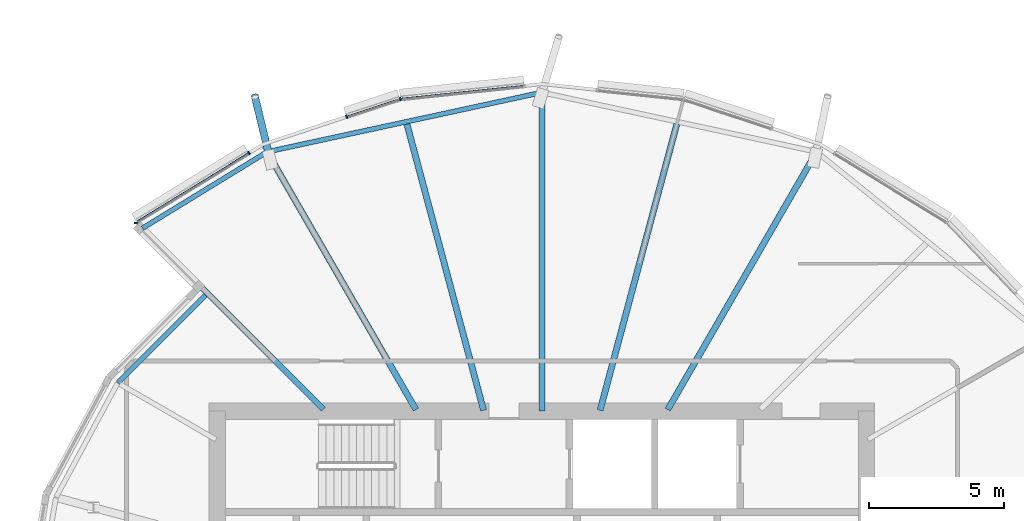
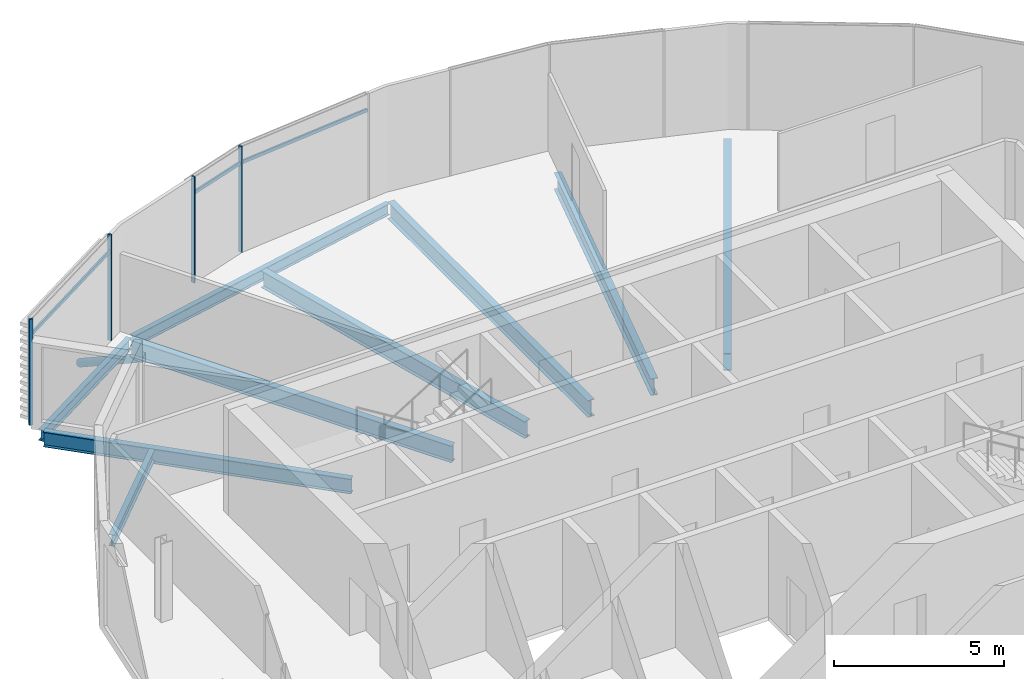
# One storey, part 10 of 37: 9 beams, 8 members, 1 element without a shape of its own.
"""IFC4 building model written with IfcOpenShell, lengths in metres."""

from ifc_helpers import new_model, si_unit, direction, frame, origin, origin_2d, place, context, subcontext, project, spatial, rectangle, hollow_circle, i_section, extrude, clip, halfspace, material, material_profile, profile_set, type_object, element, aggregate, save


model = new_model("IFC4")

# Units and contexts
model_context = context("Model", 3, precision=1e-05, world=origin(), true_north=direction((0.0, 1.0)))
body_context = subcontext(model_context, "Body", "Model", "MODEL_VIEW")
ifc_project = project(units=[si_unit("LENGTHUNIT", "METRE"), si_unit("AREAUNIT", "SQUARE_METRE"), si_unit("VOLUMEUNIT", "CUBIC_METRE"), si_unit("PLANEANGLEUNIT", "RADIAN"), si_unit("MASSUNIT", "GRAM", prefix="KILO")], contexts=[model_context])

# Site, building, storey
site_placement = place(None, origin())
site = spatial("IfcSite", under=ifc_project, at=site_placement, CompositionType="ELEMENT")
building_placement = place(site_placement, origin())
building = spatial("IfcBuilding", under=site, at=building_placement, Name="Rimbun Link Towers", CompositionType="ELEMENT")
storey_placement = place(building_placement, frame((0.0, 0.0, 162.699951171875)))
storey = spatial("IfcBuildingStorey", under=building, at=storey_placement, Name="L39", CompositionType="ELEMENT", Elevation=162.699951171875)

# Curtain wall, members
ifc_material_1 = material(Name="Aluminium 6063-T6 and low-iron glass", Category="aluminium")
curtain_wall_type = type_object("IfcCurtainWallType", Name="CW1-Z3 unitised vision wall (zone 3)", PredefinedType="NOTDEFINED", material=ifc_material_1)
curtain_wall_placement = place(storey_placement, origin())
curtain_wall = element("IfcCurtainWall", 1, at=curtain_wall_placement, inside=storey, type_object=curtain_wall_type, Name="CW1 L39 T1", PredefinedType="NOTDEFINED")
ifc_material_2 = material(Name="Aluminium 6063-T6", Category="aluminium")
ifc_material_profile_1 = material_profile(ifc_material_2, rectangle(XDim=0.1201171875, YDim=0.06005859375, at=origin_2d()), Name="MULLION 60X120")
ifc_profile_set_1 = profile_set([ifc_material_profile_1], Name="Aluminium 6063-T6")
member_type_1 = type_object("IfcMemberType", Name="CW1 mullion 60X120", PredefinedType="MULLION", material=ifc_profile_set_1)
member_1_placement = place(storey_placement, frame((-36.98291015625, 19.541015625, 0.0), z_axis=(0.0, 0.0, 1.0), x_axis=(-0.210865888506, 0.977515000941, 0.0)))
member_1 = element("IfcMember", 2, at=member_1_placement, type_object=member_type_1, Name="CW1 mullion", PredefinedType="MULLION", context=body_context, shape_type="SweptSolid", body=[
    extrude(rectangle(XDim=0.1201171875, YDim=0.06005859375, at=origin_2d()), origin(), (0.0, 0.0, 1.0), 3.800048828125),
])
member_2_placement = place(storey_placement, frame((-38.9638671875, 18.884765625, 0.0), z_axis=(0.0, 0.0, 1.0), x_axis=(-0.314555722988, 0.949239009489, 0.0)))
member_2 = element("IfcMember", 3, at=member_2_placement, type_object=member_type_1, Name="CW1 mullion", PredefinedType="MULLION", context=body_context, shape_type="SweptSolid", body=[
    extrude(rectangle(XDim=0.1201171875, YDim=0.06005859375, at=origin_2d()), origin(), (0.0, 0.0, 1.0), 3.800048828125),
])
member_3_placement = place(storey_placement, frame((-46.752197265625, 14.94970703125, 0.0), z_axis=(0.0, 0.0, 1.0), x_axis=(-0.993120151139, 0.117099809568, 0.0)))
member_3 = element("IfcMember", 4, at=member_3_placement, type_object=member_type_1, Name="CW1 mullion", PredefinedType="MULLION", context=body_context, shape_type="SweptSolid", body=[
    extrude(rectangle(XDim=0.1201171875, YDim=0.06005859375, at=origin_2d()), origin(), (0.0, 0.0, 1.0), 3.800048828125),
])
member_4_placement = place(storey_placement, frame((-42.57275390625, 17.542724609375, 0.0), z_axis=(0.0, 0.0, 1.0), x_axis=(-0.523249760653, 0.85217937547, 0.0)))
member_4 = element("IfcMember", 5, at=member_4_placement, type_object=member_type_1, Name="CW1 mullion", PredefinedType="MULLION", context=body_context, shape_type="SweptSolid", body=[
    extrude(rectangle(XDim=0.1201171875, YDim=0.06005859375, at=origin_2d()), origin(), (0.0, 0.0, 1.0), 3.800048828125),
])
ifc_material_3 = material(Name="Aluminium 6063-T6", Category="aluminium")
ifc_material_profile_2 = material_profile(ifc_material_3, rectangle(XDim=0.06005859375, YDim=0.1201171875, at=origin_2d()), Name="TRANSOM 60X120")
ifc_profile_set_2 = profile_set([ifc_material_profile_2], Name="Aluminium 6063-T6")
member_type_2 = type_object("IfcMemberType", Name="CW1 transom 60X120", PredefinedType="USERDEFINED", material=ifc_profile_set_2)
member_5_placement = place(storey_placement, frame((-36.946533203125, 19.543212890625, 3.199951171875), z_axis=(0.99450162093, 0.104721182042, 0.0), x_axis=(-0.104721182042, 0.99450162093, 0.0)))
member_5 = element("IfcMember", 6, at=member_5_placement, type_object=member_type_2, Name="CW1 transom", ObjectType="TRANSOM", PredefinedType="USERDEFINED", context=body_context, shape_type="SweptSolid", body=[
    extrude(rectangle(XDim=0.06005859375, YDim=0.1201171875, at=origin_2d()), origin(), (0.0, 0.0, 1.0), 4.5390625),
])
member_6_placement = place(storey_placement, frame((-38.934814453125, 18.892333984375, 3.199951171875), z_axis=(0.949237719427, 0.314559615999, 0.0), x_axis=(-0.314559615999, 0.949237719427, 0.0)))
member_6 = element("IfcMember", 7, at=member_6_placement, type_object=member_type_2, Name="CW1 transom", ObjectType="TRANSOM", PredefinedType="USERDEFINED", context=body_context, shape_type="SweptSolid", body=[
    extrude(rectangle(XDim=0.06005859375, YDim=0.1201171875, at=origin_2d()), origin(), (0.0, 0.0, 1.0), 2.020263671875),
])
member_7_placement = place(storey_placement, frame((-46.697509765625, 15.0078125, 3.199951171875), z_axis=(0.852173607466, 0.523259154471, 0.0), x_axis=(-0.523259154471, 0.852173607466, 0.0)))
member_7 = element("IfcMember", 8, at=member_7_placement, type_object=member_type_2, Name="CW1 transom", ObjectType="TRANSOM", PredefinedType="USERDEFINED", context=body_context, shape_type="SweptSolid", body=[
    extrude(rectangle(XDim=0.06005859375, YDim=0.1201171875, at=origin_2d()), origin(), (0.0, 0.0, 1.0), 4.811279296875),
])
aggregate(curtain_wall, [member_1, member_2, member_3, member_4, member_5, member_6, member_7])

# Member
ifc_material_4 = material(Name="Steel S355J2H", Category="steel")
ifc_material_profile_3 = material_profile(ifc_material_4, hollow_circle(Radius=0.136474609375, WallThickness=0.012451171875, at=origin_2d()), Name="CHS 273x12.5")
ifc_profile_set_3 = profile_set([ifc_material_profile_3], Name="Steel S355J2H")
member_type_3 = type_object("IfcMemberType", Name="Floor edge link CHS 273x12.5", PredefinedType="BRACE", material=ifc_profile_set_3)
member_8_placement = place(storey_placement, frame((-41.83251953125, 17.46337890625, -0.870361328125), z_axis=(-0.20279594437, 0.842239244974, -0.499506615744), x_axis=(-0.972214536351, -0.234091638695, 0.0)))
element("IfcMember", 9, at=member_8_placement, inside=storey, type_object=member_type_3, Name="Floor edge link T1 L39 08", PredefinedType="BRACE", context=body_context, shape_type="Clipping", body=[
    clip(extrude(hollow_circle(Radius=0.136474609375, WallThickness=0.012451171875, at=origin_2d()), frame((0.0, 0.0, -0.49365234375)), (0.0, 0.0, 1.0), 3.103515625), halfspace(frame((0.0, 0.0, -0.23193359375), z_axis=(0.0, 0.866310071988, -0.499506615744)), False)),
])

# Beams
ifc_material_5 = material(Name="Steel S355J2", Category="steel")
ifc_material_profile_4 = material_profile(ifc_material_5, i_section(OverallWidth=0.177978515625, OverallDepth=0.406494140625, WebThickness=0.0078125, FlangeThickness=0.0126953125, at=origin_2d()), Name="UB 406x178x60")
ifc_profile_set_4 = profile_set([ifc_material_profile_4], Name="Steel S355J2")
beam_type_1 = type_object("IfcBeamType", Name="UB 406x178x60", PredefinedType="BEAM", material=ifc_profile_set_4)
beam_1_placement = place(storey_placement, frame((-31.86474609375, 19.755859375, -0.353271484375), z_axis=(-0.977395763905, -0.211417881693, 0.0), x_axis=(0.211417881693, -0.977395763905, 0.0)))
element("IfcBeam", 10, at=beam_1_placement, inside=storey, type_object=beam_type_1, Name="Edge beam T1 L39 06-08", PredefinedType="BEAM", context=body_context, shape_type="SweptSolid", body=[
    extrude(i_section(OverallWidth=0.177978515625, OverallDepth=0.406494140625, WebThickness=0.0078125, FlangeThickness=0.0126953125, at=origin_2d()), origin(), (0.0, 0.0, 1.0), 10.1494140625),
])
beam_2_placement = place(storey_placement, frame((-41.9033203125, 17.583984375, -0.353271484375), z_axis=(-0.852679179297, -0.522434892779, 0.0), x_axis=(0.522434892779, -0.852679179297, 0.0)))
element("IfcBeam", 11, at=beam_2_placement, inside=storey, type_object=beam_type_1, Name="Edge beam T1 L39 08", PredefinedType="BEAM", context=body_context, shape_type="SweptSolid", body=[
    extrude(i_section(OverallWidth=0.177978515625, OverallDepth=0.406494140625, WebThickness=0.0078125, FlangeThickness=0.0126953125, at=origin_2d()), origin(), (0.0, 0.0, 1.0), 5.402587890625),
])
beam_3_placement = place(storey_placement, frame((-44.1806640625, 12.281005859375, -0.353271484375), z_axis=(-0.707962194469, -0.706250331825, 0.0), x_axis=(0.706250331825, -0.707962194469, 0.0)))
element("IfcBeam", 12, at=beam_3_placement, inside=storey, type_object=beam_type_1, Name="Edge beam T1 L39 09 recess", PredefinedType="BEAM", context=body_context, shape_type="SweptSolid", body=[
    extrude(i_section(OverallWidth=0.177978515625, OverallDepth=0.406494140625, WebThickness=0.0078125, FlangeThickness=0.0126953125, at=origin_2d()), origin(), (0.0, 0.0, 1.0), 4.563720703125),
])
ifc_material_6 = material(Name="Steel S355J2", Category="steel")
ifc_material_profile_5 = material_profile(ifc_material_6, i_section(OverallWidth=0.209228515625, OverallDepth=0.533203125, WebThickness=0.010009765625, FlangeThickness=0.015625, at=origin_2d()), Name="UB 533x210x92")
ifc_profile_set_5 = profile_set([ifc_material_profile_5], Name="Steel S355J2")
beam_type_2 = type_object("IfcBeamType", Name="UB 533x210x92", PredefinedType="BEAM", material=ifc_profile_set_5)
beam_4_placement = place(storey_placement, frame((-39.82470703125, 8.07470703125, -0.41650390625), z_axis=(-0.707106781187, 0.707106781187, 0.0), x_axis=(-0.707106781187, -0.707106781187, 0.0)))
element("IfcBeam", 13, at=beam_4_placement, inside=storey, type_object=beam_type_2, Name="Radial beam T1 L39 09", PredefinedType="BEAM", context=body_context, shape_type="SweptSolid", body=[
    extrude(i_section(OverallWidth=0.209228515625, OverallDepth=0.533203125, WebThickness=0.010009765625, FlangeThickness=0.015625, at=origin_2d()), origin(), (0.0, 0.0, 1.0), 9.36328125),
])
ifc_material_7 = material(Name="Steel S355J2", Category="steel")
ifc_material_profile_6 = material_profile(ifc_material_7, i_section(OverallWidth=0.2275390625, OverallDepth=0.6025390625, WebThickness=0.010498046875, FlangeThickness=0.014892578125, at=origin_2d()), Name="UB 610x229x101")
ifc_profile_set_6 = profile_set([ifc_material_profile_6], Name="Steel S355J2")
beam_type_3 = type_object("IfcBeamType", Name="UB 610x229x101", PredefinedType="BEAM", material=ifc_profile_set_6)
beam_5_placement = place(storey_placement, frame((-27.097900390625, 8.057861328125, -0.451171875), z_axis=(0.500003581172, 0.866023336184, 0.0), x_axis=(-0.866023336184, 0.500003581172, 0.0)))
element("IfcBeam", 14, at=beam_5_placement, inside=storey, type_object=beam_type_3, Name="Radial beam T1 L39 04", PredefinedType="BEAM", context=body_context, shape_type="SweptSolid", body=[
    extrude(i_section(OverallWidth=0.2275390625, OverallDepth=0.6025390625, WebThickness=0.010498046875, FlangeThickness=0.014892578125, at=origin_2d()), origin(), (0.0, 0.0, 1.0), 11.00048828125),
])
beam_6_placement = place(storey_placement, frame((-29.598388671875, 8.030517578125, -0.451171875), z_axis=(0.258833388669, 0.965921982828, 0.0), x_axis=(-0.965921982828, 0.258833388669, 0.0)))
element("IfcBeam", 15, at=beam_6_placement, inside=storey, type_object=beam_type_3, Name="Radial beam T1 L39 05", PredefinedType="BEAM", context=body_context, shape_type="SweptSolid", body=[
    extrude(i_section(OverallWidth=0.2275390625, OverallDepth=0.6025390625, WebThickness=0.010498046875, FlangeThickness=0.014892578125, at=origin_2d()), origin(), (0.0, 0.0, 1.0), 10.952880859375),
])
beam_7_placement = place(storey_placement, frame((-31.75, 8.0009765625, -0.451171875), z_axis=(0.0, 1.0, 0.0), x_axis=(-1.0, 0.0, 0.0)))
element("IfcBeam", 16, at=beam_7_placement, inside=storey, type_object=beam_type_3, Name="Radial beam T1 L39 06", PredefinedType="BEAM", context=body_context, shape_type="SweptSolid", body=[
    extrude(i_section(OverallWidth=0.2275390625, OverallDepth=0.6025390625, WebThickness=0.010498046875, FlangeThickness=0.014892578125, at=origin_2d()), origin(), (0.0, 0.0, 1.0), 11.77978515625),
])
beam_8_placement = place(storey_placement, frame((-33.901611328125, 8.030517578125, -0.451171875), z_axis=(-0.258833388669, 0.965921982828, 0.0), x_axis=(-0.965921982828, -0.258833388669, 0.0)))
element("IfcBeam", 17, at=beam_8_placement, inside=storey, type_object=beam_type_3, Name="Radial beam T1 L39 07", PredefinedType="BEAM", context=body_context, shape_type="SweptSolid", body=[
    extrude(i_section(OverallWidth=0.2275390625, OverallDepth=0.6025390625, WebThickness=0.010498046875, FlangeThickness=0.014892578125, at=origin_2d()), origin(), (0.0, 0.0, 1.0), 10.952880859375),
])
beam_9_placement = place(storey_placement, frame((-36.402099609375, 8.057861328125, -0.451171875), z_axis=(-0.500006543176, 0.866021626047, 0.0), x_axis=(-0.866021626047, -0.500006543176, 0.0)))
element("IfcBeam", 18, at=beam_9_placement, inside=storey, type_object=beam_type_3, Name="Radial beam T1 L39 08", PredefinedType="BEAM", context=body_context, shape_type="SweptSolid", body=[
    extrude(i_section(OverallWidth=0.2275390625, OverallDepth=0.6025390625, WebThickness=0.010498046875, FlangeThickness=0.014892578125, at=origin_2d()), origin(), (0.0, 0.0, 1.0), 10.910400390625),
])

save(model, "model.ifc")
